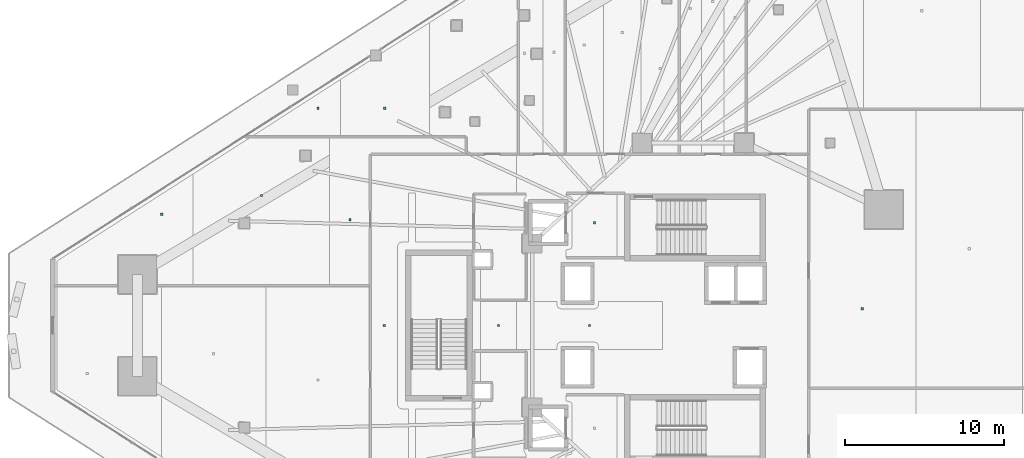
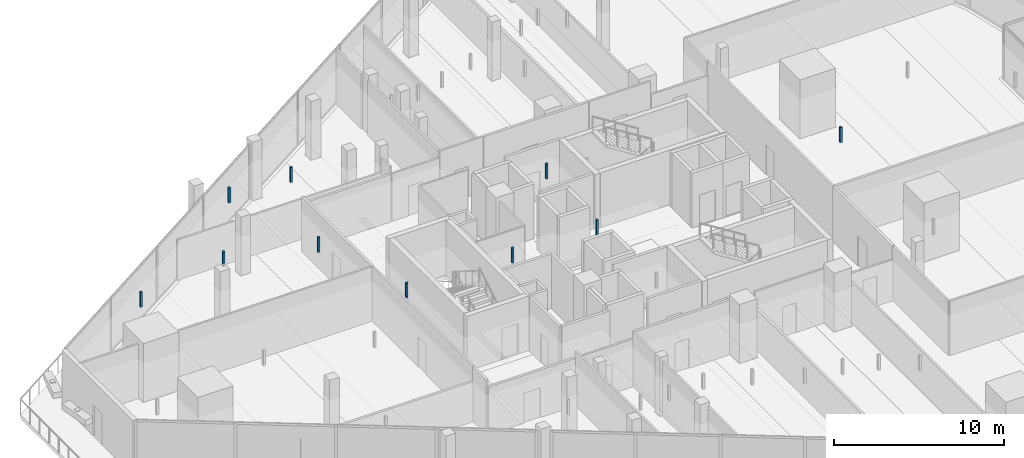
# One storey, part 33 of 44: 10 discrete accessories.
"""IFC4 building model written with IfcOpenShell, lengths in metres."""

import ifcopenshell
import ifcopenshell.guid

model = None  # the IFC model being written
_history = None  # IfcOwnerHistory: only IFC2X3 demands one
_inside = {}  # id of a spatial element -> (the spatial element, [elements in it])
_under = {}  # id of a project, library or spatial element -> (it, [spatial elements below it])
_declared = {}  # id of a project -> (the project, [libraries it declares])
_typed = {}  # id of a type object -> (the type object, [elements of that type])
_made_of = {}  # id of a material, layer set ... -> (it, [elements and type objects made of it])


def new_model(schema):
    """Start an empty IFC model of exactly this schema.

    Asked for "IFC4X3", IfcOpenShell would pick the latest addendum, in which some entities
    have other attributes; the version numbers below select the first issue.
    IFC2X3 requires an IfcOwnerHistory on every rooted entity: one is made here for all.
    """
    global model, _history
    if schema == "IFC4X3":
        model = ifcopenshell.file(schema_version=(4, 3, 0, 0))
    else:
        model = ifcopenshell.file(schema=schema)
    _inside.clear()
    _under.clear()
    _declared.clear()
    _typed.clear()
    _made_of.clear()
    _history = None
    if model.schema == "IFC2X3":
        org = make("IfcOrganization", Name="unknown")
        user = make(
            "IfcPersonAndOrganization",
            ThePerson=make("IfcPerson", FamilyName="unknown"),
            TheOrganization=org,
        )
        app = make(
            "IfcApplication",
            ApplicationDeveloper=org,
            Version="unknown",
            ApplicationFullName="unknown",
            ApplicationIdentifier="unknown",
        )
        _history = make(
            "IfcOwnerHistory",
            OwningUser=user,
            OwningApplication=app,
            ChangeAction="ADDED",
            CreationDate=0,
        )
    return model


def make(cls, **values):
    """One entity of the class cls with the attributes given. An attribute that is None is left unset."""
    return model.create_entity(
        cls, **{name: value for name, value in values.items() if value is not None}
    )


def rooted(cls, **values):
    """An entity with a GlobalId (a new one), such as an element, a storey or a relation."""
    return make(cls, GlobalId=ifcopenshell.guid.new(), OwnerHistory=_history, **values)


def si_unit(unit_type, name, prefix=None):
    """IfcSIUnit, for example si_unit("LENGTHUNIT", "METRE", prefix="MILLI")."""
    return make("IfcSIUnit", UnitType=unit_type, Prefix=prefix, Name=name)


def assignment(units):
    """IfcUnitAssignment: the units of a project."""
    return None if units is None else make("IfcUnitAssignment", Units=units)


def point(xyz):
    """IfcCartesianPoint."""
    return None if xyz is None else make("IfcCartesianPoint", Coordinates=xyz)


def direction(xyz):
    """IfcDirection."""
    return None if xyz is None else make("IfcDirection", DirectionRatios=xyz)


def frame(location, z_axis=None, x_axis=None):
    """IfcAxis2Placement3D, a coordinate frame: its origin and axes. An axis left out is left unset."""
    return make(
        "IfcAxis2Placement3D",
        Location=point(location),
        Axis=direction(z_axis),
        RefDirection=direction(x_axis),
    )


def frame_2d(location, x_axis=None):
    """IfcAxis2Placement2D, a coordinate frame in the plane: its origin and x axis."""
    return make(
        "IfcAxis2Placement2D", Location=point(location), RefDirection=direction(x_axis)
    )


def origin():
    """The frame at (0, 0, 0) with its axes left unset."""
    return frame((0.0, 0.0, 0.0))


def origin_2d():
    """The frame at (0, 0) in the plane with its x axis left unset."""
    return frame_2d((0.0, 0.0))


def place(relative_to, where):
    """IfcLocalPlacement: puts the frame where relative to a parent placement (None: the world)."""
    return make(
        "IfcLocalPlacement", PlacementRelTo=relative_to, RelativePlacement=where
    )


def context(
    kind, dimensions, precision=None, world=None, true_north=None, identifier=None
):
    """IfcGeometricRepresentationContext, for example the 3D "Model" context."""
    return make(
        "IfcGeometricRepresentationContext",
        ContextIdentifier=identifier,
        ContextType=kind,
        CoordinateSpaceDimension=dimensions,
        Precision=precision,
        WorldCoordinateSystem=world,
        TrueNorth=true_north,
    )


def subcontext(parent, identifier, kind, view, scale=None):
    """IfcGeometricRepresentationSubContext, for example "Body" below "Model"."""
    return make(
        "IfcGeometricRepresentationSubContext",
        ContextIdentifier=identifier,
        ContextType=kind,
        ParentContext=parent,
        TargetScale=scale,
        TargetView=view,
    )


def project(units=None, contexts=None):
    """IfcProject with its units and contexts."""
    return rooted(
        "IfcProject",
        Name="project",
        RepresentationContexts=contexts,
        UnitsInContext=assignment(units),
    )


def spatial(cls, under=None, at=None, **own):
    """A site, building, storey or space (cls), placed at a placement, below another one or the project."""
    s = rooted(cls, ObjectPlacement=at, **own)
    if under is not None:
        _under.setdefault(under.id(), (under, []))[1].append(s)
    return s


def profile(cls, at=None, kind="AREA", **sizes):
    """A parametric profile (cls). Its sizes go by their IFC names, for example OverallWidth=200.0."""
    return make(cls, ProfileType=kind, Position=at, **sizes)


def rectangle(**sizes):
    """IfcRectangleProfileDef."""
    return profile("IfcRectangleProfileDef", **sizes)


def extrude(swept, where, along, depth):
    """IfcExtrudedAreaSolid: the profile swept, set in the frame where, extruded along a direction by depth."""
    return make(
        "IfcExtrudedAreaSolid",
        SweptArea=swept,
        Position=where,
        ExtrudedDirection=direction(along),
        Depth=depth,
    )


def shape(context_of_items, identifier, shape_type, items):
    """IfcShapeRepresentation: the items that make up one representation, for example the "Body"."""
    return make(
        "IfcShapeRepresentation",
        ContextOfItems=context_of_items,
        RepresentationIdentifier=identifier,
        RepresentationType=shape_type,
        Items=items,
    )


def material(Name=None, Category=None):
    """IfcMaterial."""
    return make("IfcMaterial", Name=Name, Category=Category)


def made_of(thing, what):
    """Note that an element or type object is made of a material, layer set ...; save() writes the relation."""
    if what is not None:
        _made_of.setdefault(what.id(), (what, []))[1].append(thing)
    return thing


def type_object(cls, material=None, **own):
    """A type object (cls), such as IfcWallType, which elements share."""
    return made_of(rooted(cls, **own), material)


def element(
    cls,
    number,
    at=None,
    inside=None,
    cuts=None,
    type_object=None,
    material=None,
    context=None,
    identifier="Body",
    shape_type=None,
    held_by="IfcProductDefinitionShape",
    body=None,
    shapes=None,
    **own,
):
    """One element of the class cls, such as IfcWall. Its Tag is "e" and its number.

    at: its placement. inside: the storey or other place that contains it. cuts: it is an
    opening in that element (IfcRelVoidsElement). A single representation is given by context,
    identifier, shape_type and body (its items); several are given by shapes. held_by: the class
    of the entity that holds the representations. save() writes the other relations.
    """
    e = rooted(cls, Tag="e%d" % number, ObjectPlacement=at, **own)
    if body is not None:
        shapes = [shape(context, identifier, shape_type, body)]
    if shapes is not None:
        e.Representation = make(held_by, Representations=shapes)
    if inside is not None:
        _inside.setdefault(inside.id(), (inside, []))[1].append(e)
    if cuts is not None:
        rooted(
            "IfcRelVoidsElement", RelatingBuildingElement=cuts, RelatedOpeningElement=e
        )
    if type_object is not None:
        _typed.setdefault(type_object.id(), (type_object, []))[1].append(e)
    return made_of(e, material)


def aggregate(whole, parts):
    """IfcRelAggregates: a whole, such as a stair, and the parts it consists of."""
    return rooted("IfcRelAggregates", RelatingObject=whole, RelatedObjects=parts)


def save(model, path):
    """Write the relations noted so far, then the file.

    IfcRelAggregates (storeys below a building ...), IfcRelContainedInSpatialStructure (elements
    in a storey), IfcRelDefinesByType, IfcRelAssociatesMaterial and IfcRelDeclares: one each for
    every whole, place, type object, material and project.
    """
    for whole, parts in _under.values():
        aggregate(whole, parts)
    for where, things in _inside.values():
        rooted(
            "IfcRelContainedInSpatialStructure",
            RelatedElements=things,
            RelatingStructure=where,
        )
    for kind, things in _typed.values():
        rooted("IfcRelDefinesByType", RelatedObjects=things, RelatingType=kind)
    for what, things in _made_of.values():
        rooted("IfcRelAssociatesMaterial", RelatedObjects=things, RelatingMaterial=what)
    for by, libraries in _declared.values():
        rooted("IfcRelDeclares", RelatingContext=by, RelatedDefinitions=libraries)
    model.write(path)


model = new_model("IFC4")

# Units and contexts
model_context = context("Model", 3, precision=1e-05, world=origin(), true_north=direction((0.0, 1.0)))
body_context = subcontext(model_context, "Body", "Model", "MODEL_VIEW")
ifc_project = project(units=[si_unit("LENGTHUNIT", "METRE"), si_unit("AREAUNIT", "SQUARE_METRE"), si_unit("VOLUMEUNIT", "CUBIC_METRE"), si_unit("PLANEANGLEUNIT", "RADIAN"), si_unit("MASSUNIT", "GRAM", prefix="KILO")], contexts=[model_context])

# Site, building, storey
site_placement = place(None, origin())
site = spatial("IfcSite", under=ifc_project, at=site_placement, CompositionType="ELEMENT")
building_placement = place(site_placement, origin())
building = spatial("IfcBuilding", under=site, at=building_placement, Name="Qorvath Tower", CompositionType="ELEMENT")
storey_placement = place(building_placement, frame((0.0, 0.0, 45.0)))
storey = spatial("IfcBuildingStorey", under=building, at=storey_placement, Name="L09", CompositionType="ELEMENT", Elevation=45.0)

# Discrete accessories
ifc_material = material(Name="Galvanised steel bracket", Category="steel")
discrete_accessory_type = type_object("IfcDiscreteAccessoryType", Name="DA-BRACKET", PredefinedType="BRACKET", material=ifc_material)
for number, where, z_axis, x_axis, name in (
    (1, (-26.590087890625, 6.449951171875, 2.860107421875), (0.0, 0.0, 1.0), (1.0, 0.0, 0.0), "Acoustic Ceiling Suspension Hanger T1-L09-001"),
    (2, (-39.797607421875, 0.0, 2.860107421875), (0.0, 0.0, 1.0), (1.0, 0.0, 0.0), "Acoustic Ceiling Suspension Hanger T1-L09-005"),
    (3, (-32.620849609375, 0.0, 2.860107421875), (0.0, 0.0, 1.0), (1.0, 0.0, 0.0), "Acoustic Ceiling Suspension Hanger T1-L09-006"),
    (4, (-26.89990234375, 0.0, 2.860107421875), (0.0, 0.0, 1.0), (1.0, 0.0, 0.0), "Acoustic Ceiling Suspension Hanger T1-L09-007"),
    (5, (-43.944091796875, 13.63720703125, 2.860107421875), (0.0, 0.0, 1.0), (1.0, 0.0, 0.0), "Acoustic Ceiling Suspension Hanger T1-L09-008"),
    (6, (-39.75634765625, 13.635009765625, 2.860107421875), (0.0, 0.0, 1.0), (1.0, 0.0, 0.0), "Acoustic Ceiling Suspension Hanger T1-L09-009"),
    (7, (-9.781982421875, 1.052734375, 2.860107421875), (0.0, 0.0, 1.0), (1.0, 0.0, 0.0), "Acoustic Ceiling Suspension Hanger T1-L09-036"),
    (8, (-53.76171875, 6.981201171875, 2.860107421875), (0.0, 0.0, 1.0), (1.0, 0.0, 0.0), "Acoustic Ceiling Suspension Hanger T1-L09-045"),
    (9, (-47.50439453125, 8.14990234375, 2.860107421875), (0.0, 0.0, 1.0), (1.0, 0.0, 0.0), "Acoustic Ceiling Suspension Hanger T1-L09-046"),
    (10, (-41.943115234375, 6.636962890625, 2.860107421875), (0.0, 0.0, 1.0), (1.0, 0.0, 0.0), "Acoustic Ceiling Suspension Hanger T1-L09-047"),
):
    element("IfcDiscreteAccessory", number, at=place(storey_placement, frame(where, z_axis=z_axis, x_axis=x_axis)), inside=storey, type_object=discrete_accessory_type, Name=name, PredefinedType="NOTDEFINED", context=body_context, shape_type="SweptSolid", body=[
        extrude(rectangle(XDim=0.139892578125, YDim=0.139892578125, at=origin_2d()), origin(), (0.0, 0.0, 1.0), 1.08984375),
    ])

save(model, "model.ifc")
